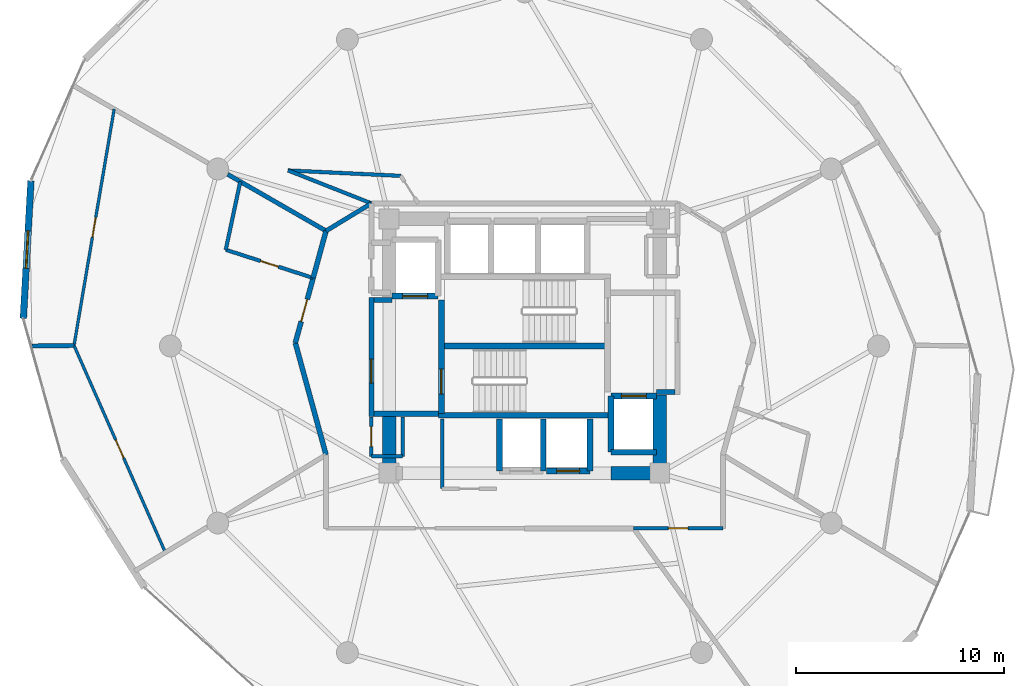
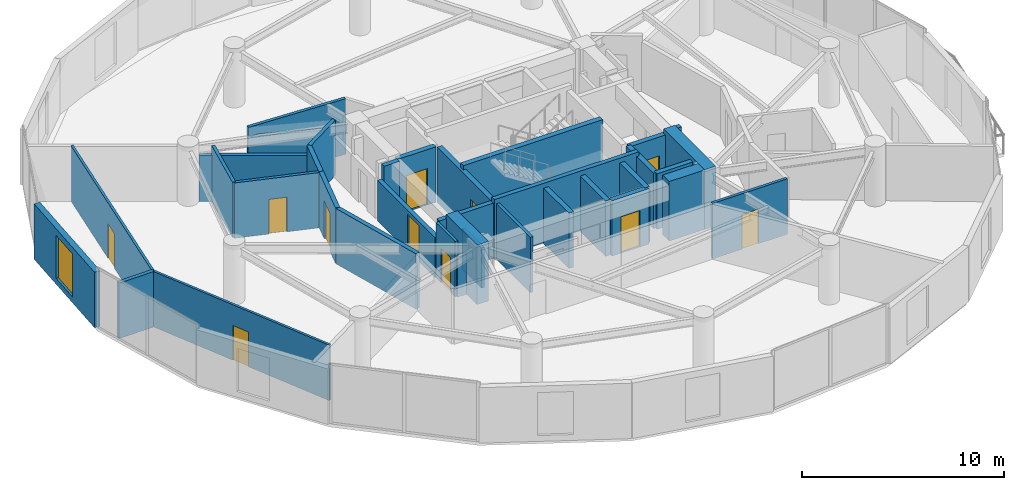
# One storey, part 20 of 25: 36 walls, 11 doors, 1 window, 12 openings.
"""IFC4 building model written with IfcOpenShell, lengths in metres."""

from ifc_helpers import new_model, si_unit, direction, frame, frame_2d, origin, place, context, subcontext, project, spatial, rectangle, extrude, material, layer, layer_set, type_object, element, fill, save


model = new_model("IFC4")

# Units and contexts
model_context = context("Model", 3, precision=1e-05, world=origin(), true_north=direction((0.0, 1.0)))
body_context = subcontext(model_context, "Body", "Model", "MODEL_VIEW")
ifc_project = project(units=[si_unit("LENGTHUNIT", "METRE"), si_unit("AREAUNIT", "SQUARE_METRE"), si_unit("VOLUMEUNIT", "CUBIC_METRE"), si_unit("PLANEANGLEUNIT", "RADIAN"), si_unit("MASSUNIT", "GRAM", prefix="KILO")], contexts=[model_context])

# Site, building, storey
site_placement = place(None, origin())
site = spatial("IfcSite", under=ifc_project, at=site_placement, CompositionType="ELEMENT")
building_placement = place(site_placement, origin())
building = spatial("IfcBuilding", under=site, at=building_placement, Name="Solvirekh Grand Hotel", CompositionType="ELEMENT")
storey_placement = place(building_placement, frame((0.0, 0.0, 117.0)))
storey = spatial("IfcBuildingStorey", under=building, at=storey_placement, Name="L29", CompositionType="ELEMENT", Elevation=117.0)

# Walls
ifc_material_1 = material(Name="Concrete C50/60", Category="concrete")
ifc_layer_1 = layer(ifc_material_1, 0.35009765625)
ifc_layer_set_1 = layer_set([ifc_layer_1], Name="Concrete C50/60")
wall_type_1 = type_object("IfcWallType", Name="CoreDivWall_RC350", PredefinedType="SOLIDWALL", material=ifc_layer_set_1)
wall_1_placement = place(storey_placement, frame((-4.1298828125, -3.324951171875, 0.0), z_axis=(0.0, 0.0, 1.0), x_axis=(1.0, 0.0, 0.0)))
element("IfcWall", 1, at=wall_1_placement, inside=storey, type_object=wall_type_1, Name="L29 core stair box wall ST-S", PredefinedType="SOLIDWALL", context=body_context, shape_type="SweptSolid", body=[
    extrude(rectangle(XDim=8.259765625, YDim=0.25, at=frame_2d((4.1298828125, 0.0))), origin(), (0.0, 0.0, 1.0), 3.60009765625),
])
ifc_material_2 = material(Name="Concrete C40/50", Category="concrete")
ifc_layer_2 = layer(ifc_material_2, 0.280029296875)
ifc_layer_set_2 = layer_set([ifc_layer_2], Name="Concrete C40/50")
wall_type_2 = type_object("IfcWallType", Name="CoreShaftWall_RC280", PredefinedType="SOLIDWALL", material=ifc_layer_set_2)
for number, where, z_axis, x_axis, name in (
    (2, (-1.199951171875, -3.5, 0.0), (0.0, 0.0, 1.0), (0.0, -1.0, 0.0), "L29 MP-1 hoistway W wall"),
    (3, (0.89990234375, -6.0, 0.0), (0.0, 0.0, 1.0), (0.0, 1.0, 0.0), "L29 MP-1 hoistway E wall"),
):
    element("IfcWall", number, at=place(storey_placement, frame(where, z_axis=z_axis, x_axis=x_axis)), inside=storey, type_object=wall_type_2, Name=name, PredefinedType="SOLIDWALL", context=body_context, shape_type="SweptSolid", body=[
        extrude(rectangle(XDim=2.5, YDim=0.280029296875, at=frame_2d((1.25, 0.0))), origin(), (0.0, 0.0, 1.0), 3.35009765625),
    ])

# Wall, opening, door
wall_2_placement = place(storey_placement, frame((1.050048828125, -6.0, 0.0), z_axis=(0.0, 0.0, 1.0), x_axis=(1.0, 0.0, 0.0)))
wall_2 = element("IfcWall", 4, at=wall_2_placement, inside=storey, type_object=wall_type_2, Name="L29 MP-2 hoistway S wall", PredefinedType="SOLIDWALL", context=body_context, shape_type="SweptSolid", body=[
    extrude(rectangle(XDim=2.099853515625, YDim=0.280029296875, at=frame_2d((1.0498046875, 0.0))), origin(), (0.0, 0.0, 1.0), 3.35009765625),
])
opening_1_placement = place(wall_2_placement, frame((0.5, 0.0, 0.0)))
opening_1 = element("IfcOpeningElement", 5, at=opening_1_placement, cuts=wall_2, Name="Opening LD01", PredefinedType="OPENING", context=body_context, shape_type="SweptSolid", body=[
    extrude(rectangle(XDim=1.10009765625, YDim=2.199951171875, at=frame_2d((0.550048828125, 1.10009765625))), frame((0.0, 0.14990234375, 0.0), z_axis=(0.0, -1.0, 0.0), x_axis=(1.0, 0.0, 0.0)), (0.0, 0.0, 1.0), 0.300048828125),
])
ifc_material_3 = material(Name="Fire-Rated Steel Door Assembly", Category="steel")
door_type_1 = type_object("IfcDoorType", Name="Door_LiftLanding_1100X2200", OperationType="SLIDING_TO_LEFT", PredefinedType="DOOR", material=ifc_material_3)
door_1_placement = place(opening_1_placement, origin())
door_1 = element("IfcDoor", 6, at=door_1_placement, inside=storey, type_object=door_type_1, Name="L29 MP-2 sliding lift landing door", OperationType="SLIDING_TO_LEFT", OverallHeight=2.199951171875, OverallWidth=1.10009765625, PredefinedType="DOOR", context=body_context, shape_type="SweptSolid", body=[
    extrude(rectangle(XDim=1.10009765625, YDim=2.199951171875, at=frame_2d((0.550048828125, 1.10009765625))), frame((0.0, 0.02490234375, 0.0), z_axis=(0.0, -1.0, 0.0), x_axis=(1.0, 0.0, 0.0)), (0.0, 0.0, 1.0), 0.050048828125),
])
fill(opening_1, door_1)

# Wall
wall_3_placement = place(storey_placement, frame((3.14990234375, -6.0, 0.0), z_axis=(0.0, 0.0, 1.0), x_axis=(0.0, 1.0, 0.0)))
element("IfcWall", 7, at=wall_3_placement, inside=storey, type_object=wall_type_2, Name="L29 MP-2 hoistway E wall", PredefinedType="SOLIDWALL", context=body_context, shape_type="SweptSolid", body=[
    extrude(rectangle(XDim=2.5, YDim=0.280029296875, at=frame_2d((1.25, 0.0))), origin(), (0.0, 0.0, 1.0), 3.35009765625),
])

# Wall, opening, door
wall_4_placement = place(storey_placement, frame((-6.35009765625, 2.39990234375, 0.0), z_axis=(0.0, 0.0, 1.0), x_axis=(1.0, 0.0, 0.0)))
wall_4 = element("IfcWall", 8, at=wall_4_placement, inside=storey, type_object=wall_type_2, Name="L29 FL-1 hoistway S wall", PredefinedType="SOLIDWALL", context=body_context, shape_type="SweptSolid", body=[
    extrude(rectangle(XDim=2.2001953125, YDim=0.280029296875, at=frame_2d((1.10009765625, 0.0))), origin(), (0.0, 0.0, 1.0), 3.35009765625),
])
opening_2_placement = place(wall_4_placement, frame((0.5, 0.0, 0.0)))
opening_2 = element("IfcOpeningElement", 9, at=opening_2_placement, cuts=wall_4, Name="Opening LD02", PredefinedType="OPENING", context=body_context, shape_type="SweptSolid", body=[
    extrude(rectangle(XDim=1.199951171875, YDim=2.199951171875, at=frame_2d((0.60009765625, 1.10009765625))), frame((0.0, 0.14990234375, 0.0), z_axis=(0.0, -1.0, 0.0), x_axis=(1.0, 0.0, 0.0)), (0.0, 0.0, 1.0), 0.300048828125),
])
door_type_2 = type_object("IfcDoorType", Name="Door_LiftFF_1200X2200", OperationType="SLIDING_TO_LEFT", PredefinedType="DOOR", material=ifc_material_3)
door_2_placement = place(opening_2_placement, origin())
door_2 = element("IfcDoor", 10, at=door_2_placement, inside=storey, type_object=door_type_2, Name="L29 FL-1 sliding lift landing door", OperationType="SLIDING_TO_LEFT", OverallHeight=2.199951171875, OverallWidth=1.199951171875, PredefinedType="DOOR", context=body_context, shape_type="SweptSolid", body=[
    extrude(rectangle(XDim=1.199951171875, YDim=2.199951171875, at=frame_2d((0.60009765625, 1.10009765625))), frame((0.0, 0.02490234375, 0.0), z_axis=(0.0, -1.0, 0.0), x_axis=(1.0, 0.0, 0.0)), (0.0, 0.0, 1.0), 0.050048828125),
])
fill(opening_2, door_2)

# Wall
wall_5_placement = place(storey_placement, frame((4.14990234375, -5.10009765625, 0.0), z_axis=(0.0, 0.0, 1.0), x_axis=(1.0, 0.0, 0.0)))
element("IfcWall", 11, at=wall_5_placement, inside=storey, type_object=wall_type_2, Name="L29 FL-2 hoistway S wall", PredefinedType="SOLIDWALL", context=body_context, shape_type="SweptSolid", body=[
    extrude(rectangle(XDim=2.2001953125, YDim=0.280029296875, at=frame_2d((1.10009765625, 0.0))), origin(), (0.0, 0.0, 1.0), 3.35009765625),
])

# Wall, opening, door
wall_6_placement = place(storey_placement, frame((6.35009765625, -2.39990234375, 0.0), z_axis=(0.0, 0.0, 1.0), x_axis=(-1.0, 0.0, 0.0)))
wall_6 = element("IfcWall", 12, at=wall_6_placement, inside=storey, type_object=wall_type_2, Name="L29 FL-2 hoistway N wall", PredefinedType="SOLIDWALL", context=body_context, shape_type="SweptSolid", body=[
    extrude(rectangle(XDim=2.2001953125, YDim=0.280029296875, at=frame_2d((1.10009765625, 0.0))), origin(), (0.0, 0.0, 1.0), 3.35009765625),
])
opening_3_placement = place(wall_6_placement, frame((0.5, 0.0, 0.0)))
opening_3 = element("IfcOpeningElement", 13, at=opening_3_placement, cuts=wall_6, Name="Opening LD02", PredefinedType="OPENING", context=body_context, shape_type="SweptSolid", body=[
    extrude(rectangle(XDim=1.199951171875, YDim=2.199951171875, at=frame_2d((0.60009765625, 1.10009765625))), frame((0.0, 0.14990234375, 0.0), z_axis=(0.0, -1.0, 0.0), x_axis=(1.0, 0.0, 0.0)), (0.0, 0.0, 1.0), 0.300048828125),
])
door_3_placement = place(opening_3_placement, origin())
door_3 = element("IfcDoor", 14, at=door_3_placement, inside=storey, type_object=door_type_2, Name="L29 FL-2 sliding lift landing door", OperationType="SLIDING_TO_LEFT", OverallHeight=2.199951171875, OverallWidth=1.199951171875, PredefinedType="DOOR", context=body_context, shape_type="SweptSolid", body=[
    extrude(rectangle(XDim=1.199951171875, YDim=2.199951171875, at=frame_2d((0.60009765625, 1.10009765625))), frame((0.0, 0.02490234375, 0.0), z_axis=(0.0, -1.0, 0.0), x_axis=(1.0, 0.0, 0.0)), (0.0, 0.0, 1.0), 0.050048828125),
])
fill(opening_3, door_3)

# Wall
wall_7_placement = place(storey_placement, frame((4.14990234375, -2.39990234375, 0.0), z_axis=(0.0, 0.0, 1.0), x_axis=(0.0, -1.0, 0.0)))
element("IfcWall", 15, at=wall_7_placement, inside=storey, type_object=wall_type_2, Name="L29 FL-2 hoistway W wall", PredefinedType="SOLIDWALL", context=body_context, shape_type="SweptSolid", body=[
    extrude(rectangle(XDim=2.7001953125, YDim=0.280029296875, at=frame_2d((1.35009765625, 0.0))), origin(), (0.0, 0.0, 1.0), 3.35009765625),
])

# Wall, opening, door
wall_8_placement = place(storey_placement, frame((-3.989990234375, -3.25, 0.0), z_axis=(0.0, 0.0, 1.0), x_axis=(0.0, 1.0, 0.0)))
wall_8 = element("IfcWall", 16, at=wall_8_placement, inside=storey, type_object=wall_type_2, Name="L29 west stair landing enclosure wall", PredefinedType="SOLIDWALL", context=body_context, shape_type="SweptSolid", body=[
    extrude(rectangle(XDim=5.4599609375, YDim=0.280029296875, at=frame_2d((2.72998046875, 0.0))), origin(), (0.0, 0.0, 1.0), 3.35009765625),
])
opening_4_placement = place(wall_8_placement, frame((0.93701171875, 0.0, 0.0)))
opening_4 = element("IfcOpeningElement", 17, at=opening_4_placement, cuts=wall_8, Name="Opening D05", PredefinedType="OPENING", context=body_context, shape_type="SweptSolid", body=[
    extrude(rectangle(XDim=1.199951171875, YDim=2.199951171875, at=frame_2d((0.60009765625, 1.10009765625))), frame((0.0, 0.14990234375, 0.0), z_axis=(0.0, -1.0, 0.0), x_axis=(1.0, 0.0, 0.0)), (0.0, 0.0, 1.0), 0.300048828125),
])
door_type_3 = type_object("IfcDoorType", Name="Door_StairCore_1200X2200", OperationType="NOTDEFINED", PredefinedType="DOOR", material=ifc_material_3)
door_4_placement = place(opening_4_placement, origin())
door_4 = element("IfcDoor", 18, at=door_4_placement, inside=storey, type_object=door_type_3, Name="L29 exit stair ST-1 fire door", OperationType="SINGLE_SWING_RIGHT", OverallHeight=2.199951171875, OverallWidth=1.199951171875, PredefinedType="DOOR", context=body_context, shape_type="SweptSolid", body=[
    extrude(rectangle(XDim=1.199951171875, YDim=2.199951171875, at=frame_2d((0.60009765625, 1.10009765625))), frame((0.0, 0.02490234375, 0.0), z_axis=(0.0, -1.0, 0.0), x_axis=(1.0, 0.0, 0.0)), (0.0, 0.0, 1.0), 0.050048828125),
])
fill(opening_4, door_4)

# Walls
ifc_layer_3 = layer(ifc_material_1, 0.64990234375)
ifc_layer_set_3 = layer_set([ifc_layer_3], Name="Concrete C50/60")
wall_type_3 = type_object("IfcWallType", Name="CoreWall_RC650", PredefinedType="SHEAR", material=ifc_layer_set_3)
wall_9_placement = place(storey_placement, frame((-3.989990234375, 0.0, 0.0), z_axis=(0.0, 0.0, 1.0), x_axis=(1.0, 0.0, 0.0)))
element("IfcWall", 19, at=wall_9_placement, inside=storey, type_object=wall_type_3, Name="L29 central stair-spine shear wall", PredefinedType="SHEAR", context=body_context, shape_type="SweptSolid", body=[
    extrude(rectangle(XDim=7.97998046875, YDim=0.300048828125, at=frame_2d((3.989990234375, 0.0))), origin(), (0.0, 0.0, 1.0), 3.60009765625),
])
wall_10_placement = place(storey_placement, frame((4.14990234375, -6.10009765625, 0.0), z_axis=(0.0, 0.0, 1.0), x_axis=(1.0, 0.0, 0.0)))
element("IfcWall", 20, at=wall_10_placement, inside=storey, type_object=wall_type_3, Name="L29 core corner shear wall SE-S", PredefinedType="SHEAR", context=body_context, shape_type="SweptSolid", body=[
    extrude(rectangle(XDim=2.025146484375, YDim=0.64990234375, at=frame_2d((1.0126953125, 0.0))), origin(), (0.0, 0.0, 1.0), 3.60009765625),
])
wall_11_placement = place(storey_placement, frame((-6.5, -6.425048828125, 0.0), z_axis=(0.0, 0.0, 1.0), x_axis=(0.0, 1.0, 0.0)))
element("IfcWall", 21, at=wall_11_placement, inside=storey, type_object=wall_type_3, Name="L29 core corner shear wall WS-W", PredefinedType="SHEAR", context=body_context, shape_type="SweptSolid", body=[
    extrude(rectangle(XDim=3.074951171875, YDim=0.64990234375, at=frame_2d((1.53759765625, 0.0))), origin(), (0.0, 0.0, 1.0), 3.60009765625),
])
wall_12_placement = place(storey_placement, frame((6.5, -6.425048828125, 0.0), z_axis=(0.0, 0.0, 1.0), x_axis=(0.0, 1.0, 0.0)))
element("IfcWall", 22, at=wall_12_placement, inside=storey, type_object=wall_type_3, Name="L29 core corner shear wall ES-E", PredefinedType="SHEAR", context=body_context, shape_type="SweptSolid", body=[
    extrude(rectangle(XDim=4.074951171875, YDim=0.64990234375, at=frame_2d((2.03759765625, 0.0))), origin(), (0.0, 0.0, 1.0), 3.60009765625),
])

# Wall, opening, window
ifc_material_4 = material(Name="Precast concrete C45/55", Category="concrete")
ifc_layer_4 = layer(ifc_material_4, 0.320068359375)
ifc_layer_set_4 = layer_set([ifc_layer_4], Name="Precast concrete C45/55")
wall_type_4 = type_object("IfcWallType", Name="ExtLobbyWall_RC320", PredefinedType="SOLIDWALL", material=ifc_layer_set_4)
wall_13_placement = place(storey_placement, frame((-24.05908203125, 1.326904296875, 0.0), z_axis=(0.0, 0.0, 1.0), x_axis=(0.055339161213, 0.998467614516, 0.0)))
wall_13 = element("IfcWall", 23, at=wall_13_placement, inside=storey, type_object=wall_type_4, Name="L29 exterior structural wall chord 12", PredefinedType="SOLIDWALL", context=body_context, shape_type="SweptSolid", body=[
    extrude(rectangle(XDim=6.61328125, YDim=0.320068359375, at=frame_2d((3.306640625, 0.0))), origin(), (0.0, 0.0, 1.0), 3.35009765625),
])
opening_5_placement = place(wall_13_placement, frame((2.406982421875, 0.0, 0.35009765625)))
opening_5 = element("IfcOpeningElement", 24, at=opening_5_placement, cuts=wall_13, Name="Opening W02", PredefinedType="OPENING", context=body_context, shape_type="SweptSolid", body=[
    extrude(rectangle(XDim=1.800048828125, YDim=2.60009765625, at=frame_2d((0.89990234375, 1.300048828125))), frame((0.0, 0.169921875, 0.0), z_axis=(0.0, -1.0, 0.0), x_axis=(1.0, 0.0, 0.0)), (0.0, 0.0, 1.0), 0.340087890625),
])
ifc_material_5 = material(Name="Low-E Tinted Bronze Laminated Glass", Category="aluminium")
window_type = type_object("IfcWindowType", Name="Win_LobbyExt_1800X2600", PartitioningType="SINGLE_PANEL", PredefinedType="WINDOW", material=ifc_material_5)
window_placement = place(opening_5_placement, origin())
window = element("IfcWindow", 25, at=window_placement, inside=storey, type_object=window_type, Name="L29 panoramic bronze-framed window 12", OverallHeight=2.60009765625, OverallWidth=1.800048828125, PartitioningType="SINGLE_PANEL", PredefinedType="WINDOW", context=body_context, shape_type="SweptSolid", body=[
    extrude(rectangle(XDim=1.800048828125, YDim=2.60009765625, at=frame_2d((0.89990234375, 1.300048828125))), frame((0.0, 0.030029296875, 0.0), z_axis=(0.0, -1.0, 0.0), x_axis=(1.0, 0.0, 0.0)), (0.0, 0.0, 1.0), 0.06005859375),
])
fill(opening_5, window)

# Walls
ifc_material_6 = material(Name="Acoustic Gypsum Partition Assembly")
ifc_layer_5 = layer(ifc_material_6, 0.1650390625)
ifc_layer_set_5 = layer_set([ifc_layer_5], Name="Acoustic Gypsum Partition Assembly")
wall_type_5 = type_object("IfcWallType", Name="Part_BOH_165", PredefinedType="PARTITIONING", material=ifc_layer_set_5)
wall_14_placement = place(storey_placement, frame((-7.35009765625, -5.300048828125, 0.0), z_axis=(0.0, 0.0, 1.0), x_axis=(1.0, 0.0, 0.0)))
element("IfcWall", 26, at=wall_14_placement, inside=storey, type_object=wall_type_5, Name="L29 L29 Butler Service Closet wall 1", PredefinedType="PARTITIONING", context=body_context, shape_type="SweptSolid", body=[
    extrude(rectangle(XDim=1.5, YDim=0.1650390625, at=frame_2d((0.75, 0.0))), origin(), (0.0, 0.0, 1.0), 2.43505859375),
])
wall_15_placement = place(storey_placement, frame((-5.85009765625, -5.300048828125, 0.0), z_axis=(0.0, 0.0, 1.0), x_axis=(0.0, 1.0, 0.0)))
element("IfcWall", 27, at=wall_15_placement, inside=storey, type_object=wall_type_5, Name="L29 L29 Butler Service Closet wall 2", PredefinedType="PARTITIONING", context=body_context, shape_type="SweptSolid", body=[
    extrude(rectangle(XDim=1.900146484375, YDim=0.1650390625, at=frame_2d((0.9501953125, 0.0))), origin(), (0.0, 0.0, 1.0), 2.43505859375),
])

# Wall, opening, door
wall_16_placement = place(storey_placement, frame((-7.35009765625, -3.39990234375, 0.0), z_axis=(0.0, 0.0, 1.0), x_axis=(0.0, -1.0, 0.0)))
wall_16 = element("IfcWall", 28, at=wall_16_placement, inside=storey, type_object=wall_type_5, Name="L29 L29 Butler Service Closet wall 4", PredefinedType="PARTITIONING", context=body_context, shape_type="SweptSolid", body=[
    extrude(rectangle(XDim=1.900146484375, YDim=0.1650390625, at=frame_2d((0.9501953125, 0.0))), origin(), (0.0, 0.0, 1.0), 3.35009765625),
])
opening_6_placement = place(wall_16_placement, frame((0.47509765625, 0.0, 0.0)))
opening_6 = element("IfcOpeningElement", 29, at=opening_6_placement, cuts=wall_16, Name="Opening D10", PredefinedType="OPENING", context=body_context, shape_type="SweptSolid", body=[
    extrude(rectangle(XDim=0.949951171875, YDim=2.10009765625, at=frame_2d((0.47509765625, 1.050048828125))), frame((0.0, 0.092529296875, 0.0), z_axis=(0.0, -1.0, 0.0), x_axis=(1.0, 0.0, 0.0)), (0.0, 0.0, 1.0), 0.18505859375),
])
ifc_material_7 = material(Name="Anodized Bronze Aluminium 6063-T6", Category="aluminium")
door_type_4 = type_object("IfcDoorType", Name="Door_RoomInt_950X2100", OperationType="NOTDEFINED", PredefinedType="DOOR", material=ifc_material_7)
door_5_placement = place(opening_6_placement, origin())
door_5 = element("IfcDoor", 30, at=door_5_placement, inside=storey, type_object=door_type_4, Name="L29 L29 Butler Service Closet door", OperationType="SINGLE_SWING_LEFT", OverallHeight=2.10009765625, OverallWidth=0.949951171875, PredefinedType="DOOR", context=body_context, shape_type="SweptSolid", body=[
    extrude(rectangle(XDim=0.949951171875, YDim=2.10009765625, at=frame_2d((0.47509765625, 1.050048828125))), frame((0.0, 0.02490234375, 0.0), z_axis=(0.0, -1.0, 0.0), x_axis=(1.0, 0.0, 0.0)), (0.0, 0.0, 1.0), 0.050048828125),
])
fill(opening_6, door_5)

# Wall
wall_17_placement = place(storey_placement, frame((-3.949951171875, -3.5, 0.0), z_axis=(0.0, 0.0, 1.0), x_axis=(0.0, -1.0, 0.0)))
element("IfcWall", 31, at=wall_17_placement, inside=storey, type_object=wall_type_5, Name="L29 Mid-Zone Housekeeping Room wall 4", PredefinedType="PARTITIONING", context=body_context, shape_type="SweptSolid", body=[
    extrude(rectangle(XDim=3.35009765625, YDim=0.1650390625, at=frame_2d((1.675048828125, 0.0))), origin(), (0.0, 0.0, 1.0), 3.35009765625),
])

# Wall, opening, door
wall_18_placement = place(storey_placement, frame((5.239013671875, -8.75, 0.0), z_axis=(0.0, 0.0, 1.0), x_axis=(1.0, 0.0, 0.0)))
wall_18 = element("IfcWall", 32, at=wall_18_placement, inside=storey, type_object=wall_type_5, Name="L29 L29 Butler Valet & Linen Steward Room entrance wall", PredefinedType="PARTITIONING", context=body_context, shape_type="SweptSolid", body=[
    extrude(rectangle(XDim=4.286865234375, YDim=0.1650390625, at=frame_2d((2.1435546875, 0.0))), origin(), (0.0, 0.0, 1.0), 3.35009765625),
])
opening_7_placement = place(wall_18_placement, frame((1.66796875, 0.0, 0.0)))
opening_7 = element("IfcOpeningElement", 33, at=opening_7_placement, cuts=wall_18, Name="Opening D10", PredefinedType="OPENING", context=body_context, shape_type="SweptSolid", body=[
    extrude(rectangle(XDim=0.949951171875, YDim=2.10009765625, at=frame_2d((0.47509765625, 1.050048828125))), frame((0.0, 0.092529296875, 0.0), z_axis=(0.0, -1.0, 0.0), x_axis=(1.0, 0.0, 0.0)), (0.0, 0.0, 1.0), 0.18505859375),
])
door_6_placement = place(opening_7_placement, origin())
door_6 = element("IfcDoor", 34, at=door_6_placement, inside=storey, type_object=door_type_4, Name="L29 L29 Butler Valet & Linen Steward Room entrance door", OperationType="SINGLE_SWING_LEFT", OverallHeight=2.10009765625, OverallWidth=0.949951171875, PredefinedType="DOOR", context=body_context, shape_type="SweptSolid", body=[
    extrude(rectangle(XDim=0.949951171875, YDim=2.10009765625, at=frame_2d((0.47509765625, 1.050048828125))), frame((0.0, 0.02490234375, 0.0), z_axis=(0.0, -1.0, 0.0), x_axis=(1.0, 0.0, 0.0)), (0.0, 0.0, 1.0), 0.050048828125),
])
fill(opening_7, door_6)

ifc_layer_6 = layer(ifc_material_6, 0.239990234375)
ifc_layer_set_6 = layer_set([ifc_layer_6], Name="Acoustic Gypsum Partition Assembly")
wall_type_6 = type_object("IfcWallType", Name="Part_Corridor_240", PredefinedType="PARTITIONING", material=ifc_layer_set_6)
wall_19_placement = place(storey_placement, frame((-7.35009765625, -3.3798828125, 0.0), z_axis=(0.0, 0.0, 1.0), x_axis=(0.0, 1.0, 0.0)))
wall_19 = element("IfcWall", 35, at=wall_19_placement, inside=storey, type_object=wall_type_6, Name="L29 west firefighting lobby smoke screen wall", PredefinedType="PARTITIONING", context=body_context, shape_type="SweptSolid", body=[
    extrude(rectangle(XDim=5.719970703125, YDim=0.239990234375, at=frame_2d((2.85986328125, 0.0))), origin(), (0.0, 0.0, 1.0), 2.43505859375),
])
opening_8_placement = place(wall_19_placement, frame((1.59912109375, 0.0, 0.0)))
opening_8 = element("IfcOpeningElement", 36, at=opening_8_placement, cuts=wall_19, Name="Opening D06", PredefinedType="OPENING", context=body_context, shape_type="SweptSolid", body=[
    extrude(rectangle(XDim=1.14990234375, YDim=2.199951171875, at=frame_2d((0.574951171875, 1.10009765625))), frame((0.0, 0.1298828125, 0.0), z_axis=(0.0, -1.0, 0.0), x_axis=(1.0, 0.0, 0.0)), (0.0, 0.0, 1.0), 0.260009765625),
])
door_type_5 = type_object("IfcDoorType", Name="Door_FFLobby_1150X2200", OperationType="NOTDEFINED", PredefinedType="DOOR", material=ifc_material_3)
door_7_placement = place(opening_8_placement, origin())
door_7 = element("IfcDoor", 37, at=door_7_placement, inside=storey, type_object=door_type_5, Name="L29 west firefighting lobby smoke door", OperationType="SINGLE_SWING_RIGHT", OverallHeight=2.199951171875, OverallWidth=1.14990234375, PredefinedType="DOOR", context=body_context, shape_type="SweptSolid", body=[
    extrude(rectangle(XDim=1.14990234375, YDim=2.199951171875, at=frame_2d((0.574951171875, 1.10009765625))), frame((0.0, 0.02490234375, 0.0), z_axis=(0.0, -1.0, 0.0), x_axis=(1.0, 0.0, 0.0)), (0.0, 0.0, 1.0), 0.050048828125),
])
fill(opening_8, door_7)

# Walls
wall_20_placement = place(storey_placement, frame((-9.52587890625, 5.52490234375, 0.0), z_axis=(0.0, 0.0, 1.0), x_axis=(-0.264564800962, -0.964367910132, 0.0)))
element("IfcWall", 38, at=wall_20_placement, inside=storey, type_object=wall_type_6, Name="L29 En-suite Bathroom 3102 corridor backing wall", PredefinedType="PARTITIONING", context=body_context, shape_type="SweptSolid", body=[
    extrude(rectangle(XDim=2.34033203125, YDim=0.239990234375, at=frame_2d((1.170166015625, 0.0))), origin(), (0.0, 0.0, 1.0), 3.35009765625),
])
wall_21_placement = place(storey_placement, frame((-11.0, 0.14990234375, 0.0), z_axis=(0.0, 0.0, 1.0), x_axis=(0.264488542062, -0.964388827765, 0.0)))
element("IfcWall", 39, at=wall_21_placement, inside=storey, type_object=wall_type_6, Name="L29 Executive Suite 3102 Living Room corridor wall 1", PredefinedType="PARTITIONING", context=body_context, shape_type="SweptSolid", body=[
    extrude(rectangle(XDim=5.573486328125, YDim=0.239990234375, at=frame_2d((2.78662109375, 0.0))), origin(), (0.0, 0.0, 1.0), 3.35009765625),
])

# Wall, opening, door
wall_22_placement = place(storey_placement, frame((-10.14501953125, 3.26806640625, 0.0), z_axis=(0.0, 0.0, 1.0), x_axis=(-0.264433345006, -0.96440396414, 0.0)))
wall_22 = element("IfcWall", 40, at=wall_22_placement, inside=storey, type_object=wall_type_6, Name="L29 Executive Suite 3102 Living Room entrance wall", PredefinedType="PARTITIONING", context=body_context, shape_type="SweptSolid", body=[
    extrude(rectangle(XDim=3.233154296875, YDim=0.239990234375, at=frame_2d((1.61669921875, 0.0))), origin(), (0.0, 0.0, 1.0), 3.35009765625),
])
opening_9_placement = place(wall_22_placement, frame((1.06689453125, 0.0, 0.0)))
opening_9 = element("IfcOpeningElement", 41, at=opening_9_placement, cuts=wall_22, Name="Opening D08", PredefinedType="OPENING", context=body_context, shape_type="SweptSolid", body=[
    extrude(rectangle(XDim=1.10009765625, YDim=2.300048828125, at=frame_2d((0.550048828125, 1.14990234375))), frame((0.0, 0.1298828125, 0.0), z_axis=(0.0, -1.0, 0.0), x_axis=(1.0, 0.0, 0.0)), (0.0, 0.0, 1.0), 0.260009765625),
])
door_type_6 = type_object("IfcDoorType", Name="Door_SuiteEntry_1100X2300", OperationType="NOTDEFINED", PredefinedType="DOOR", material=ifc_material_3)
door_8_placement = place(opening_9_placement, origin())
door_8 = element("IfcDoor", 42, at=door_8_placement, inside=storey, type_object=door_type_6, Name="L29 Executive Suite 3102 Living Room entrance door", OperationType="SINGLE_SWING_LEFT", OverallHeight=2.300048828125, OverallWidth=1.10009765625, PredefinedType="DOOR", context=body_context, shape_type="SweptSolid", body=[
    extrude(rectangle(XDim=1.10009765625, YDim=2.300048828125, at=frame_2d((0.550048828125, 1.14990234375))), frame((0.0, 0.02490234375, 0.0), z_axis=(0.0, -1.0, 0.0), x_axis=(1.0, 0.0, 0.0)), (0.0, 0.0, 1.0), 0.050048828125),
])
fill(opening_9, door_8)

# Walls
ifc_layer_7 = layer(ifc_material_6, 0.260009765625)
ifc_layer_set_7 = layer_set([ifc_layer_7], Name="Acoustic Gypsum Partition Assembly")
wall_type_7 = type_object("IfcWallType", Name="Part_LobbyFF_260", PredefinedType="PARTITIONING", material=ifc_layer_set_7)
wall_23_placement = place(storey_placement, frame((-7.22509765625, -3.25, 0.0), z_axis=(0.0, 0.0, 1.0), x_axis=(1.0, 0.0, 0.0)))
element("IfcWall", 43, at=wall_23_placement, inside=storey, type_object=wall_type_7, Name="L29 west firefighting lobby south partition", PredefinedType="PARTITIONING", context=body_context, shape_type="SweptSolid", body=[
    extrude(rectangle(XDim=3.09521484375, YDim=0.260009765625, at=frame_2d((1.547607421875, 0.0))), origin(), (0.0, 0.0, 1.0), 3.35009765625),
])
for number, where, z_axis, x_axis, name in (
    (44, (-7.22509765625, 2.2099609375, 0.0), (0.0, 0.0, 1.0), (1.0, 0.0, 0.0), "L29 west firefighting lobby NW cheek"),
    (45, (6.35009765625, -2.2099609375, 0.0), (0.0, 0.0, 1.0), (1.0, 0.0, 0.0), "L29 east firefighting lobby SE cheek"),
):
    element("IfcWall", number, at=place(storey_placement, frame(where, z_axis=z_axis, x_axis=x_axis)), inside=storey, type_object=wall_type_7, Name=name, PredefinedType="PARTITIONING", context=body_context, shape_type="SweptSolid", body=[
        extrude(rectangle(XDim=0.875, YDim=0.260009765625, at=frame_2d((0.4375, 0.0))), origin(), (0.0, 0.0, 1.0), 3.35009765625),
    ])

# Wall, opening, door
ifc_layer_8 = layer(ifc_material_6, 0.135009765625)
ifc_layer_set_8 = layer_set([ifc_layer_8], Name="Acoustic Gypsum Partition Assembly")
wall_type_8 = type_object("IfcWallType", Name="Part_RoomInt_135", PredefinedType="PARTITIONING", material=ifc_layer_set_8)
wall_24_placement = place(storey_placement, frame((-19.697998046875, 11.3759765625, 0.0), z_axis=(0.0, 0.0, 1.0), x_axis=(-0.167355206253, -0.985896665447, 0.0)))
wall_24 = element("IfcWall", 46, at=wall_24_placement, inside=storey, type_object=wall_type_8, Name="L29 Executive Suite 3102 Living Room bedroom screen wall", PredefinedType="PARTITIONING", context=body_context, shape_type="SweptSolid", body=[
    extrude(rectangle(XDim=11.514404296875, YDim=0.135009765625, at=frame_2d((5.75732421875, 0.0))), origin(), (0.0, 0.0, 1.0), 3.35009765625),
])
opening_10_placement = place(wall_24_placement, frame((5.281982421875, 0.0, 0.0)))
opening_10 = element("IfcOpeningElement", 47, at=opening_10_placement, cuts=wall_24, Name="Opening D10", PredefinedType="OPENING", context=body_context, shape_type="SweptSolid", body=[
    extrude(rectangle(XDim=0.949951171875, YDim=2.10009765625, at=frame_2d((0.47509765625, 1.050048828125))), frame((0.0, 0.07763671875, 0.0), z_axis=(0.0, -1.0, 0.0), x_axis=(1.0, 0.0, 0.0)), (0.0, 0.0, 1.0), 0.155029296875),
])
door_9_placement = place(opening_10_placement, origin())
door_9 = element("IfcDoor", 48, at=door_9_placement, inside=storey, type_object=door_type_4, Name="L29 Executive Suite 3102 Living Room master bedroom door", OperationType="SINGLE_SWING_RIGHT", OverallHeight=2.10009765625, OverallWidth=0.949951171875, PredefinedType="DOOR", context=body_context, shape_type="SweptSolid", body=[
    extrude(rectangle(XDim=0.949951171875, YDim=2.10009765625, at=frame_2d((0.47509765625, 1.050048828125))), frame((0.0, 0.02490234375, 0.0), z_axis=(0.0, -1.0, 0.0), x_axis=(1.0, 0.0, 0.0)), (0.0, 0.0, 1.0), 0.050048828125),
])
fill(opening_10, door_9)

wall_25_placement = place(storey_placement, frame((-21.625, 0.02392578125, 0.0), z_axis=(0.0, 0.0, 1.0), x_axis=(0.403752576745, -0.914868218254, 0.0)))
wall_25 = element("IfcWall", 49, at=wall_25_placement, inside=storey, type_object=wall_type_8, Name="L29 Executive Suite 3102 Panorama Suite Study bedroom screen wall", PredefinedType="PARTITIONING", context=body_context, shape_type="SweptSolid", body=[
    extrude(rectangle(XDim=10.858154296875, YDim=0.135009765625, at=frame_2d((5.42919921875, 0.0))), origin(), (0.0, 0.0, 1.0), 3.35009765625),
])
opening_11_placement = place(wall_25_placement, frame((4.9541015625, 0.0, 0.0)))
opening_11 = element("IfcOpeningElement", 50, at=opening_11_placement, cuts=wall_25, Name="Opening D10", PredefinedType="OPENING", context=body_context, shape_type="SweptSolid", body=[
    extrude(rectangle(XDim=0.949951171875, YDim=2.10009765625, at=frame_2d((0.47509765625, 1.050048828125))), frame((0.0, 0.07763671875, 0.0), z_axis=(0.0, -1.0, 0.0), x_axis=(1.0, 0.0, 0.0)), (0.0, 0.0, 1.0), 0.155029296875),
])
door_10_placement = place(opening_11_placement, origin())
door_10 = element("IfcDoor", 51, at=door_10_placement, inside=storey, type_object=door_type_4, Name="L29 Executive Suite 3102 Panorama Suite Study master bedroom door", OperationType="SINGLE_SWING_LEFT", OverallHeight=2.10009765625, OverallWidth=0.949951171875, PredefinedType="DOOR", context=body_context, shape_type="SweptSolid", body=[
    extrude(rectangle(XDim=0.949951171875, YDim=2.10009765625, at=frame_2d((0.47509765625, 1.050048828125))), frame((0.0, 0.02490234375, 0.0), z_axis=(0.0, -1.0, 0.0), x_axis=(1.0, 0.0, 0.0)), (0.0, 0.0, 1.0), 0.050048828125),
])
fill(opening_11, door_10)

# Walls
ifc_layer_9 = layer(ifc_material_6, 0.2099609375)
ifc_layer_set_9 = layer_set([ifc_layer_9], Name="Acoustic Gypsum Partition Assembly")
wall_type_9 = type_object("IfcWallType", Name="Part_SuiteDemise_210", PredefinedType="PARTITIONING", material=ifc_layer_set_9)
wall_26_placement = place(storey_placement, frame((-9.52587890625, 5.52490234375, 0.0), z_axis=(0.0, 0.0, 1.0), x_axis=(-0.866806949329, 0.498643873516, 0.0)))
element("IfcWall", 52, at=wall_26_placement, inside=storey, type_object=wall_type_9, Name="L29 suite radial wall 6 (A)", PredefinedType="PARTITIONING", context=body_context, shape_type="SweptSolid", body=[
    extrude(rectangle(XDim=5.44287109375, YDim=0.2099609375, at=frame_2d((2.721435546875, 0.0))), origin(), (0.0, 0.0, 1.0), 2.791015625),
])
wall_27_placement = place(storey_placement, frame((-9.52587890625, 5.52490234375, 0.0), z_axis=(0.0, 0.0, 1.0), x_axis=(0.854057882133, 0.520177982969, 0.0)))
element("IfcWall", 53, at=wall_27_placement, inside=storey, type_object=wall_type_9, Name="L29 Panorama Suite 3101 dividing partition 1", PredefinedType="PARTITIONING", context=body_context, shape_type="SweptSolid", body=[
    extrude(rectangle(XDim=2.547607421875, YDim=0.2099609375, at=frame_2d((1.27392578125, 0.0))), origin(), (0.0, 0.0, 1.0), 3.35009765625),
])
wall_28_placement = place(storey_placement, frame((-21.625, 0.02392578125, 0.0), z_axis=(0.0, 0.0, 1.0), x_axis=(-0.999930133727, -0.01182064573, 0.0)))
element("IfcWall", 54, at=wall_28_placement, inside=storey, type_object=wall_type_9, Name="L29 Executive Suite 3102 Living Room dividing partition 1", PredefinedType="PARTITIONING", context=body_context, shape_type="SweptSolid", body=[
    extrude(rectangle(XDim=2.024169921875, YDim=0.2099609375, at=frame_2d((1.01220703125, 0.0))), origin(), (0.0, 0.0, 1.0), 3.35009765625),
])
ifc_layer_10 = layer(ifc_material_6, 0.175048828125)
ifc_layer_set_10 = layer_set([ifc_layer_10], Name="Acoustic Gypsum Partition Assembly")
wall_type_10 = type_object("IfcWallType", Name="Plumb_Ensuite_175", PredefinedType="PLUMBINGWALL", material=ifc_layer_set_10)
wall_29_placement = place(storey_placement, frame((-11.35009765625, 8.428955078125, 0.0), z_axis=(0.0, 0.0, 1.0), x_axis=(0.998846720144, -0.048012807228, 0.0)))
element("IfcWall", 55, at=wall_29_placement, inside=storey, type_object=wall_type_10, Name="L29 En-suite Bathroom 3101 outer plumbing wall", PredefinedType="PLUMBINGWALL", context=body_context, shape_type="SweptSolid", body=[
    extrude(rectangle(XDim=5.41552734375, YDim=0.175048828125, at=frame_2d((2.707763671875, 0.0))), origin(), (0.0, 0.0, 1.0), 3.35009765625),
])
wall_30_placement = place(storey_placement, frame((-11.35009765625, 8.428955078125, 0.0), z_axis=(0.0, 0.0, 1.0), x_axis=(0.930162364503, -0.367148438186, 0.0)))
element("IfcWall", 56, at=wall_30_placement, inside=storey, type_object=wall_type_10, Name="L29 En-suite Bathroom 3101 side plumbing wall", PredefinedType="PLUMBINGWALL", context=body_context, shape_type="SweptSolid", body=[
    extrude(rectangle(XDim=4.30029296875, YDim=0.175048828125, at=frame_2d((2.150146484375, 0.0))), origin(), (0.0, 0.0, 1.0), 2.791015625),
])
wall_31_placement = place(storey_placement, frame((-13.64306640625, 7.89306640625, 0.0), z_axis=(0.0, 0.0, 1.0), x_axis=(-0.208014079253, -0.978125831799, 0.0)))
element("IfcWall", 57, at=wall_31_placement, inside=storey, type_object=wall_type_10, Name="L29 En-suite Bathroom 3102 outer plumbing wall", PredefinedType="PLUMBINGWALL", context=body_context, shape_type="SweptSolid", body=[
    extrude(rectangle(XDim=3.34619140625, YDim=0.175048828125, at=frame_2d((1.673095703125, 0.0))), origin(), (0.0, 0.0, 1.0), 3.35009765625),
])

# Wall, opening, door
wall_32_placement = place(storey_placement, frame((-10.14501953125, 3.26806640625, 0.0), z_axis=(0.0, 0.0, 1.0), x_axis=(-0.951767084273, 0.306821474632, 0.0)))
wall_32 = element("IfcWall", 58, at=wall_32_placement, inside=storey, type_object=wall_type_10, Name="L29 En-suite Bathroom 3102 entry plumbing wall", PredefinedType="PLUMBINGWALL", context=body_context, shape_type="SweptSolid", body=[
    extrude(rectangle(XDim=4.40673828125, YDim=0.175048828125, at=frame_2d((2.203369140625, 0.0))), origin(), (0.0, 0.0, 1.0), 3.35009765625),
])
opening_12_placement = place(wall_32_placement, frame((1.7529296875, 0.0, 0.0)))
opening_12 = element("IfcOpeningElement", 59, at=opening_12_placement, cuts=wall_32, Name="Opening D09", PredefinedType="OPENING", context=body_context, shape_type="SweptSolid", body=[
    extrude(rectangle(XDim=0.89990234375, YDim=2.10009765625, at=frame_2d((0.449951171875, 1.050048828125))), frame((0.0, 0.09765625, 0.0), z_axis=(0.0, -1.0, 0.0), x_axis=(1.0, 0.0, 0.0)), (0.0, 0.0, 1.0), 0.195068359375),
])
door_type_7 = type_object("IfcDoorType", Name="Door_Ensuite_900X2100", OperationType="NOTDEFINED", PredefinedType="DOOR", material=ifc_material_7)
door_11_placement = place(opening_12_placement, origin())
door_11 = element("IfcDoor", 60, at=door_11_placement, inside=storey, type_object=door_type_7, Name="L29 En-suite Bathroom 3102 door", OperationType="SINGLE_SWING_RIGHT", OverallHeight=2.10009765625, OverallWidth=0.89990234375, PredefinedType="DOOR", context=body_context, shape_type="SweptSolid", body=[
    extrude(rectangle(XDim=0.89990234375, YDim=2.10009765625, at=frame_2d((0.449951171875, 1.050048828125))), frame((0.0, 0.02490234375, 0.0), z_axis=(0.0, -1.0, 0.0), x_axis=(1.0, 0.0, 0.0)), (0.0, 0.0, 1.0), 0.050048828125),
])
fill(opening_12, door_11)

save(model, "model.ifc")
